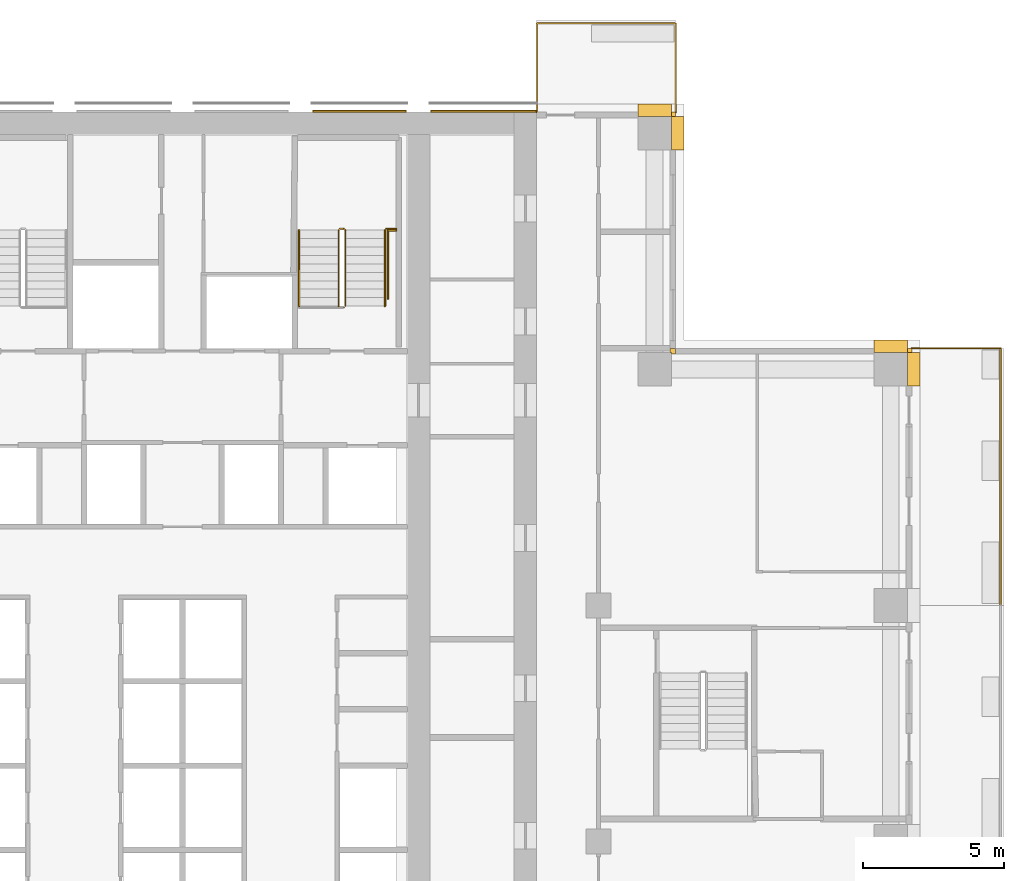
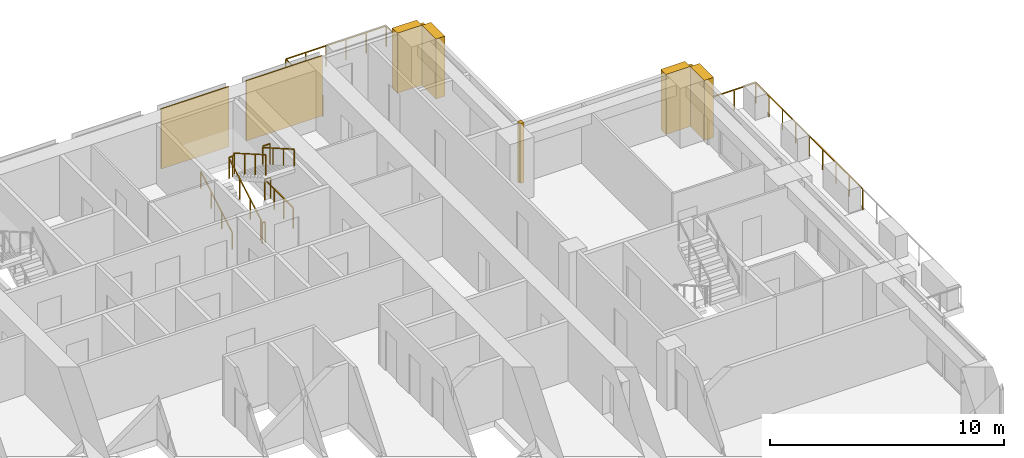
# One storey, part 16 of 16: 9 coverings, 7 railings.
"""IFC4 building model written with IfcOpenShell, lengths in metres."""

from ifc_helpers import new_model, si_unit, direction, frame, origin, origin_2d, place, context, subcontext, project, spatial, polyline, rectangle, outline, extrude, material, type_object, element, save


model = new_model("IFC4")

# Units and contexts
model_context = context("Model", 3, precision=1e-05, world=origin(), true_north=direction((0.0, 1.0)))
body_context = subcontext(model_context, "Body", "Model", "MODEL_VIEW")
ifc_project = project(units=[si_unit("LENGTHUNIT", "METRE"), si_unit("AREAUNIT", "SQUARE_METRE"), si_unit("VOLUMEUNIT", "CUBIC_METRE"), si_unit("PLANEANGLEUNIT", "RADIAN"), si_unit("MASSUNIT", "GRAM", prefix="KILO")], contexts=[model_context])

# Site, building, storey
site_placement = place(None, origin())
site = spatial("IfcSite", under=ifc_project, at=site_placement, CompositionType="ELEMENT")
building_placement = place(site_placement, origin())
building = spatial("IfcBuilding", under=site, at=building_placement, Name="Vermilion Ogive Tower", CompositionType="ELEMENT")
storey_placement = place(building_placement, frame((0.0, 0.0, 101.10009765625)))
storey = spatial("IfcBuildingStorey", under=building, at=storey_placement, Name="L25", CompositionType="ELEMENT", Elevation=101.10009765625)

# Railings
ifc_material_1 = material(Name="Stainless steel and glass", Category="steel")
railing_type_1 = type_object("IfcRailingType", Name="Balcony guard", PredefinedType="GUARDRAIL", material=ifc_material_1)
railing_1_placement = place(storey_placement, frame((29.110107421875, 4.199951171875, -0.0400390625)))
element("IfcRailing", 1, at=railing_1_placement, inside=storey, type_object=railing_type_1, Name="Guard E03", PredefinedType="GUARDRAIL", context=body_context, shape_type="SweptSolid", body=[
    extrude(rectangle(XDim=0.048095703125, YDim=0.048095703125, at=origin_2d()), frame((0.0, 0.0, 1.076171875), z_axis=(0.0, 1.0, 0.0), x_axis=(-1.0, 0.0, 0.0)), (0.0, 0.0, 1.0), 9.150146484375),
    extrude(rectangle(XDim=0.048095703125, YDim=0.048095703125, at=origin_2d()), frame((0.0, 9.150146484375, 1.076171875), z_axis=(-1.0, 0.0, 0.0), x_axis=(0.0, -1.0, 0.0)), (0.0, 0.0, 1.0), 3.16015625),
    extrude(rectangle(XDim=0.0419921875, YDim=0.0419921875, at=origin_2d()), origin(), (0.0, 0.0, 1.0), 1.052001953125),
    extrude(rectangle(XDim=0.0419921875, YDim=0.0419921875, at=origin_2d()), frame((0.0, 1.143798828125, 0.0)), (0.0, 0.0, 1.0), 1.052001953125),
    extrude(rectangle(XDim=0.0419921875, YDim=0.0419921875, at=origin_2d()), frame((0.0, 2.28759765625, 0.0)), (0.0, 0.0, 1.0), 1.052001953125),
    extrude(rectangle(XDim=0.0419921875, YDim=0.0419921875, at=origin_2d()), frame((0.0, 3.431396484375, 0.0)), (0.0, 0.0, 1.0), 1.052001953125),
    extrude(rectangle(XDim=0.0419921875, YDim=0.0419921875, at=origin_2d()), frame((0.0, 4.5751953125, 0.0)), (0.0, 0.0, 1.0), 1.052001953125),
    extrude(rectangle(XDim=0.0419921875, YDim=0.0419921875, at=origin_2d()), frame((0.0, 5.71875, 0.0)), (0.0, 0.0, 1.0), 1.052001953125),
    extrude(rectangle(XDim=0.0419921875, YDim=0.0419921875, at=origin_2d()), frame((0.0, 6.862548828125, 0.0)), (0.0, 0.0, 1.0), 1.052001953125),
    extrude(rectangle(XDim=0.0419921875, YDim=0.0419921875, at=origin_2d()), frame((0.0, 8.00634765625, 0.0)), (0.0, 0.0, 1.0), 1.052001953125),
    extrude(rectangle(XDim=0.0419921875, YDim=0.0419921875, at=origin_2d()), frame((0.0, 9.150146484375, 0.0)), (0.0, 0.0, 1.0), 1.052001953125),
    extrude(rectangle(XDim=0.0419921875, YDim=0.0419921875, at=origin_2d()), frame((-1.053466796875, 9.150146484375, 0.0)), (0.0, 0.0, 1.0), 1.052001953125),
    extrude(rectangle(XDim=0.0419921875, YDim=0.0419921875, at=origin_2d()), frame((-2.106689453125, 9.150146484375, 0.0)), (0.0, 0.0, 1.0), 1.052001953125),
    extrude(rectangle(XDim=0.0419921875, YDim=0.0419921875, at=origin_2d()), frame((-3.16015625, 9.150146484375, 0.0)), (0.0, 0.0, 1.0), 1.052001953125),
])
railing_2_placement = place(storey_placement, frame((17.550048828125, 21.75, -0.0400390625)))
element("IfcRailing", 2, at=railing_2_placement, inside=storey, type_object=railing_type_1, Name="Guard N101", PredefinedType="GUARDRAIL", context=body_context, shape_type="SweptSolid", body=[
    extrude(rectangle(XDim=0.048095703125, YDim=0.048095703125, at=origin_2d()), frame((0.0, 0.0, 1.076171875), z_axis=(0.0, 1.0, 0.0), x_axis=(-1.0, 0.0, 0.0)), (0.0, 0.0, 1.0), 3.159912109375),
    extrude(rectangle(XDim=0.048095703125, YDim=0.048095703125, at=origin_2d()), frame((0.0, 3.159912109375, 1.076171875), z_axis=(-1.0, 0.0, 0.0), x_axis=(0.0, -1.0, 0.0)), (0.0, 0.0, 1.0), 4.949951171875),
    extrude(rectangle(XDim=0.048095703125, YDim=0.048095703125, at=origin_2d()), frame((-4.949951171875, 3.159912109375, 1.076171875), z_axis=(0.0, -1.0, 0.0), x_axis=(1.0, 0.0, 0.0)), (0.0, 0.0, 1.0), 3.159912109375),
    extrude(rectangle(XDim=0.0419921875, YDim=0.0419921875, at=origin_2d()), origin(), (0.0, 0.0, 1.0), 1.052001953125),
    extrude(rectangle(XDim=0.0419921875, YDim=0.0419921875, at=origin_2d()), frame((0.0, 1.05322265625, 0.0)), (0.0, 0.0, 1.0), 1.052001953125),
    extrude(rectangle(XDim=0.0419921875, YDim=0.0419921875, at=origin_2d()), frame((0.0, 2.106689453125, 0.0)), (0.0, 0.0, 1.0), 1.052001953125),
    extrude(rectangle(XDim=0.0419921875, YDim=0.0419921875, at=origin_2d()), frame((0.0, 3.159912109375, 0.0)), (0.0, 0.0, 1.0), 1.052001953125),
    extrude(rectangle(XDim=0.0419921875, YDim=0.0419921875, at=origin_2d()), frame((-0.989990234375, 3.159912109375, 0.0)), (0.0, 0.0, 1.0), 1.052001953125),
    extrude(rectangle(XDim=0.0419921875, YDim=0.0419921875, at=origin_2d()), frame((-1.97998046875, 3.159912109375, 0.0)), (0.0, 0.0, 1.0), 1.052001953125),
    extrude(rectangle(XDim=0.0419921875, YDim=0.0419921875, at=origin_2d()), frame((-2.969970703125, 3.159912109375, 0.0)), (0.0, 0.0, 1.0), 1.052001953125),
    extrude(rectangle(XDim=0.0419921875, YDim=0.0419921875, at=origin_2d()), frame((-3.9599609375, 3.159912109375, 0.0)), (0.0, 0.0, 1.0), 1.052001953125),
    extrude(rectangle(XDim=0.0419921875, YDim=0.0419921875, at=origin_2d()), frame((-4.949951171875, 3.159912109375, 0.0)), (0.0, 0.0, 1.0), 1.052001953125),
    extrude(rectangle(XDim=0.0419921875, YDim=0.0419921875, at=origin_2d()), frame((-4.949951171875, 2.106689453125, 0.0)), (0.0, 0.0, 1.0), 1.052001953125),
    extrude(rectangle(XDim=0.0419921875, YDim=0.0419921875, at=origin_2d()), frame((-4.949951171875, 1.05322265625, 0.0)), (0.0, 0.0, 1.0), 1.052001953125),
    extrude(rectangle(XDim=0.0419921875, YDim=0.0419921875, at=origin_2d()), frame((-4.949951171875, 0.0, 0.0)), (0.0, 0.0, 1.0), 1.052001953125),
])
ifc_material_2 = material(Name="Steel S355 painted", Category="steel")
railing_type_2 = type_object("IfcRailingType", Name="Stair guard 1100", PredefinedType="GUARDRAIL", material=ifc_material_2)
railing_3_placement = place(storey_placement, frame((5.75, 14.800048828125, 0.0)))
element("IfcRailing", 3, at=railing_3_placement, inside=storey, type_object=railing_type_2, Name="L25 ST2 stair guard 4", PredefinedType="GUARDRAIL", context=body_context, shape_type="SweptSolid", body=[
    extrude(rectangle(XDim=0.048095703125, YDim=0.048095703125, at=origin_2d()), frame((0.0, 0.0, 1.076171875), z_axis=(-1.0, 0.0, 0.0), x_axis=(0.0, -1.0, 0.0)), (0.0, 0.0, 1.0), 0.14990234375),
    extrude(rectangle(XDim=0.048095703125, YDim=0.048095703125, at=origin_2d()), frame((-0.14990234375, 0.0, 1.076171875), z_axis=(-0.268603158521, 0.268603158521, 0.925043072762), x_axis=(-0.707106781187, -0.707106781187, 0.0)), (0.0, 0.0, 1.0), 0.186279296875),
    extrude(rectangle(XDim=0.048095703125, YDim=0.048095703125, at=origin_2d()), frame((-0.199951171875, 0.050048828125, 1.24853515625), z_axis=(0.0, 0.866903762492, 0.498475542607), x_axis=(-1.0, 0.0, 0.0)), (0.0, 0.0, 1.0), 3.114501953125),
    extrude(rectangle(XDim=0.048095703125, YDim=0.048095703125, at=origin_2d()), frame((-0.199951171875, 2.75, 2.80078125), z_axis=(0.707106781187, 0.707106781187, 0.0), x_axis=(-0.707106781187, 0.707106781187, 0.0)), (0.0, 0.0, 1.0), 0.07080078125),
    extrude(rectangle(XDim=0.048095703125, YDim=0.048095703125, at=origin_2d()), frame((-0.14990234375, 2.800048828125, 2.80078125), z_axis=(1.0, 0.0, 0.0), x_axis=(0.0, 1.0, 0.0)), (0.0, 0.0, 1.0), 0.14990234375),
    extrude(rectangle(XDim=0.048095703125, YDim=0.048095703125, at=origin_2d()), frame((0.0, 2.800048828125, 2.80078125), z_axis=(0.268277960024, -0.268277960024, 0.925231793839), x_axis=(0.707106781187, 0.707106781187, 0.0)), (0.0, 0.0, 1.0), 0.1865234375),
    extrude(rectangle(XDim=0.048095703125, YDim=0.048095703125, at=origin_2d()), frame((0.050048828125, 2.75, 2.9736328125), z_axis=(0.0, -0.866903762492, 0.498475542607), x_axis=(1.0, 0.0, 0.0)), (0.0, 0.0, 1.0), 3.114501953125),
    extrude(rectangle(XDim=0.0419921875, YDim=0.0419921875, at=origin_2d()), origin(), (0.0, 0.0, 1.0), 1.052001953125),
    extrude(rectangle(XDim=0.0419921875, YDim=0.0419921875, at=origin_2d()), frame((-0.14990234375, 0.0, 0.0)), (0.0, 0.0, 1.0), 1.052001953125),
    extrude(rectangle(XDim=0.0419921875, YDim=0.0419921875, at=origin_2d()), frame((-0.199951171875, 0.050048828125, 0.17236328125)), (0.0, 0.0, 1.0), 1.052001953125),
    extrude(rectangle(XDim=0.0419921875, YDim=0.0419921875, at=origin_2d()), frame((-0.199951171875, 0.949951171875, 0.68994140625)), (0.0, 0.0, 1.0), 1.052001953125),
    extrude(rectangle(XDim=0.0419921875, YDim=0.0419921875, at=origin_2d()), frame((-0.199951171875, 1.85009765625, 1.207275390625)), (0.0, 0.0, 1.0), 1.052001953125),
    extrude(rectangle(XDim=0.0419921875, YDim=0.0419921875, at=origin_2d()), frame((-0.199951171875, 2.75, 1.724853515625)), (0.0, 0.0, 1.0), 1.052001953125),
    extrude(rectangle(XDim=0.0419921875, YDim=0.0419921875, at=origin_2d()), frame((-0.14990234375, 2.800048828125, 1.724853515625)), (0.0, 0.0, 1.0), 1.052001953125),
    extrude(rectangle(XDim=0.0419921875, YDim=0.0419921875, at=origin_2d()), frame((0.0, 2.800048828125, 1.724853515625)), (0.0, 0.0, 1.0), 1.052001953125),
    extrude(rectangle(XDim=0.0419921875, YDim=0.0419921875, at=origin_2d()), frame((0.050048828125, 2.75, 1.8974609375)), (0.0, 0.0, 1.0), 1.052001953125),
    extrude(rectangle(XDim=0.0419921875, YDim=0.0419921875, at=origin_2d()), frame((0.050048828125, 1.85009765625, 2.4150390625)), (0.0, 0.0, 1.0), 1.052001953125),
    extrude(rectangle(XDim=0.0419921875, YDim=0.0419921875, at=origin_2d()), frame((0.050048828125, 0.949951171875, 2.932373046875)), (0.0, 0.0, 1.0), 1.052001953125),
    extrude(rectangle(XDim=0.0419921875, YDim=0.0419921875, at=origin_2d()), frame((0.050048828125, 0.050048828125, 3.449951171875)), (0.0, 0.0, 1.0), 1.052001953125),
])
railing_4_placement = place(storey_placement, frame((7.25, 17.60009765625, 1.724853515625)))
element("IfcRailing", 4, at=railing_4_placement, inside=storey, type_object=railing_type_2, Name="L25 landing guard", PredefinedType="GUARDRAIL", context=body_context, shape_type="SweptSolid", body=[
    extrude(rectangle(XDim=0.048095703125, YDim=0.048095703125, at=origin_2d()), frame((0.0, 0.0, 1.076171875), z_axis=(1.0, 0.0, 0.0), x_axis=(0.0, 1.0, 0.0)), (0.0, 0.0, 1.0), 0.35009765625),
    extrude(rectangle(XDim=0.0419921875, YDim=0.0419921875, at=origin_2d()), origin(), (0.0, 0.0, 1.0), 1.052001953125),
    extrude(rectangle(XDim=0.0419921875, YDim=0.0419921875, at=origin_2d()), frame((0.35009765625, 0.0, 0.0)), (0.0, 0.0, 1.0), 1.052001953125),
])
railing_5_placement = place(storey_placement, frame((7.599609375, 17.54296875, 0.0)))
element("IfcRailing", 5, at=railing_5_placement, inside=storey, type_object=railing_type_2, Name="L25 stair opening guard", PredefinedType="GUARDRAIL", context=body_context, shape_type="SweptSolid", body=[
    extrude(rectangle(XDim=0.048095703125, YDim=0.048095703125, at=origin_2d()), frame((0.0, 0.0, 1.076171875), z_axis=(-1.0, 0.0, 0.0), x_axis=(0.0, -1.0, 0.0)), (0.0, 0.0, 1.0), 0.2900390625),
    extrude(rectangle(XDim=0.048095703125, YDim=0.048095703125, at=origin_2d()), frame((-0.2900390625, 0.0, 1.076171875), z_axis=(0.0, -1.0, 0.0), x_axis=(1.0, 0.0, 0.0)), (0.0, 0.0, 1.0), 2.42431640625),
    extrude(rectangle(XDim=0.0419921875, YDim=0.0419921875, at=origin_2d()), origin(), (0.0, 0.0, 1.0), 1.052001953125),
    extrude(rectangle(XDim=0.0419921875, YDim=0.0419921875, at=origin_2d()), frame((-0.2900390625, 0.0, 0.0)), (0.0, 0.0, 1.0), 1.052001953125),
    extrude(rectangle(XDim=0.0419921875, YDim=0.0419921875, at=origin_2d()), frame((-0.2900390625, -0.80810546875, 0.0)), (0.0, 0.0, 1.0), 1.052001953125),
    extrude(rectangle(XDim=0.0419921875, YDim=0.0419921875, at=origin_2d()), frame((-0.2900390625, -1.6162109375, 0.0)), (0.0, 0.0, 1.0), 1.052001953125),
    extrude(rectangle(XDim=0.0419921875, YDim=0.0419921875, at=origin_2d()), frame((-0.2900390625, -2.42431640625, 0.0)), (0.0, 0.0, 1.0), 1.052001953125),
])
ifc_material_3 = material(Name="Stainless steel", Category="steel")
railing_type_3 = type_object("IfcRailingType", Name="Stair handrail 900", PredefinedType="HANDRAIL", material=ifc_material_3)
railing_6_placement = place(storey_placement, frame((4.14990234375, 14.85009765625, 0.17236328125)))
element("IfcRailing", 6, at=railing_6_placement, inside=storey, type_object=railing_type_3, Name="L25 ST2 stair handrail 1", PredefinedType="HANDRAIL", context=body_context, shape_type="SweptSolid", body=[
    extrude(rectangle(XDim=0.048095703125, YDim=0.048095703125, at=origin_2d()), frame((0.0, 0.0, 0.8759765625), z_axis=(0.0, 0.866903762492, 0.498475542607), x_axis=(-1.0, 0.0, 0.0)), (0.0, 0.0, 1.0), 3.114501953125),
    extrude(rectangle(XDim=0.0419921875, YDim=0.0419921875, at=origin_2d()), origin(), (0.0, 0.0, 1.0), 0.851806640625),
    extrude(rectangle(XDim=0.0419921875, YDim=0.0419921875, at=origin_2d()), frame((0.0, 0.89990234375, 0.517578125)), (0.0, 0.0, 1.0), 0.851806640625),
    extrude(rectangle(XDim=0.0419921875, YDim=0.0419921875, at=origin_2d()), frame((0.0, 1.800048828125, 1.034912109375)), (0.0, 0.0, 1.0), 0.851806640625),
    extrude(rectangle(XDim=0.0419921875, YDim=0.0419921875, at=origin_2d()), frame((0.0, 2.699951171875, 1.552490234375)), (0.0, 0.0, 1.0), 0.851806640625),
])
railing_7_placement = place(storey_placement, frame((7.199951171875, 17.550048828125, 1.8974609375)))
element("IfcRailing", 7, at=railing_7_placement, inside=storey, type_object=railing_type_3, Name="L25 ST2 stair handrail 2", PredefinedType="HANDRAIL", context=body_context, shape_type="SweptSolid", body=[
    extrude(rectangle(XDim=0.048095703125, YDim=0.048095703125, at=origin_2d()), frame((0.0, 0.0, 0.8759765625), z_axis=(0.0, -0.866903762492, 0.498475542607), x_axis=(1.0, 0.0, 0.0)), (0.0, 0.0, 1.0), 3.114501953125),
    extrude(rectangle(XDim=0.0419921875, YDim=0.0419921875, at=origin_2d()), origin(), (0.0, 0.0, 1.0), 0.851806640625),
    extrude(rectangle(XDim=0.0419921875, YDim=0.0419921875, at=origin_2d()), frame((0.0, -0.89990234375, 0.517578125)), (0.0, 0.0, 1.0), 0.851806640625),
    extrude(rectangle(XDim=0.0419921875, YDim=0.0419921875, at=origin_2d()), frame((0.0, -1.800048828125, 1.034912109375)), (0.0, 0.0, 1.0), 0.851806640625),
    extrude(rectangle(XDim=0.0419921875, YDim=0.0419921875, at=origin_2d()), frame((0.0, -2.699951171875, 1.552490234375)), (0.0, 0.0, 1.0), 0.851806640625),
])

# Coverings
ifc_material_4 = material(Name="Stone cladding", Category="masonry")
covering_type_1 = type_object("IfcCoveringType", Name="Stone cladding panel", PredefinedType="CLADDING", material=ifc_material_4)
covering_1_placement = place(storey_placement, origin())
element("IfcCovering", 8, at=covering_1_placement, inside=storey, type_object=covering_type_1, Name="Stone cladding panel N5", PredefinedType="CLADDING", context=body_context, shape_type="SweptSolid", body=[
    extrude(outline(polyline([(4.6298828125, 21.75), (7.969970703125, 21.75), (7.969970703125, 21.81005859375), (4.6298828125, 21.81005859375), (4.6298828125, 21.75)])), origin(), (0.0, 0.0, 1.0), 3.1298828125),
])
covering_2_placement = place(storey_placement, origin())
element("IfcCovering", 9, at=covering_2_placement, inside=storey, type_object=covering_type_1, Name="Stone cladding panel N6", PredefinedType="CLADDING", context=body_context, shape_type="SweptSolid", body=[
    extrude(outline(polyline([(8.830078125, 21.75), (12.590087890625, 21.75), (12.590087890625, 21.81005859375), (8.830078125, 21.81005859375), (8.830078125, 21.75)])), origin(), (0.0, 0.0, 1.0), 3.1298828125),
])
ifc_material_5 = material(Name="Stone cladding", Category="masonry")
covering_type_2 = type_object("IfcCoveringType", Name="Stone pier", PredefinedType="CLADDING", material=ifc_material_5)
covering_3_placement = place(storey_placement, origin())
element("IfcCovering", 10, at=covering_3_placement, inside=storey, type_object=covering_type_2, Name="Stone corner pier EE1", PredefinedType="CLADDING", context=body_context, shape_type="SweptSolid", body=[
    extrude(outline(polyline([(25.949951171875, 13.199951171875), (25.800048828125, 13.199951171875), (25.800048828125, 13.35009765625), (25.949951171875, 13.35009765625), (25.949951171875, 13.199951171875)])), origin(), (0.0, 0.0, 1.0), 3.1298828125),
])
covering_4_placement = place(storey_placement, origin())
element("IfcCovering", 11, at=covering_4_placement, inside=storey, type_object=covering_type_2, Name="Stone corner pier X3E1", PredefinedType="CLADDING", context=body_context, shape_type="SweptSolid", body=[
    extrude(outline(polyline([(17.39990234375, 13.14990234375), (17.39990234375, 13.199951171875), (17.35009765625, 13.199951171875), (17.35009765625, 13.35009765625), (17.550048828125, 13.35009765625), (17.550048828125, 13.14990234375), (17.39990234375, 13.14990234375)])), origin(), (0.0, 0.0, 1.0), 3.1298828125),
])
covering_5_placement = place(storey_placement, origin())
element("IfcCovering", 12, at=covering_5_placement, inside=storey, type_object=covering_type_2, Name="Stone corner pier X4E1", PredefinedType="CLADDING", context=body_context, shape_type="SweptSolid", body=[
    extrude(outline(polyline([(17.550048828125, 21.60009765625), (17.39990234375, 21.60009765625), (17.39990234375, 21.60009765625), (17.39990234375, 21.75), (17.550048828125, 21.75), (17.550048828125, 21.60009765625)])), origin(), (0.0, 0.0, 1.0), 3.1298828125),
])
covering_6_placement = place(storey_placement, origin())
element("IfcCovering", 13, at=covering_6_placement, inside=storey, type_object=covering_type_2, Name="Stone pier P+0168+210X4", PredefinedType="CLADDING", context=body_context, shape_type="SweptSolid", body=[
    extrude(outline(polyline([(17.85009765625, 21.60009765625), (17.85009765625, 20.39990234375), (17.39990234375, 20.39990234375), (17.39990234375, 21.60009765625), (17.85009765625, 21.60009765625)])), origin(), (0.0, 0.0, 1.0), 3.1298828125),
])
covering_7_placement = place(storey_placement, origin())
element("IfcCovering", 14, at=covering_7_placement, inside=storey, type_object=covering_type_2, Name="Stone pier P+0168+210N1", PredefinedType="CLADDING", context=body_context, shape_type="SweptSolid", body=[
    extrude(outline(polyline([(17.39990234375, 22.050048828125), (17.39990234375, 21.60009765625), (16.199951171875, 21.60009765625), (16.199951171875, 22.050048828125), (17.39990234375, 22.050048828125)])), origin(), (0.0, 0.0, 1.0), 3.1298828125),
])
covering_8_placement = place(storey_placement, origin())
element("IfcCovering", 15, at=covering_8_placement, inside=storey, type_object=covering_type_2, Name="Stone pier P+0252+126E", PredefinedType="CLADDING", context=body_context, shape_type="SweptSolid", body=[
    extrude(outline(polyline([(25.800048828125, 13.199951171875), (25.800048828125, 13.199951171875), (26.25, 13.199951171875), (26.25, 12.0), (25.800048828125, 12.0), (25.800048828125, 12.0), (25.800048828125, 13.199951171875)])), origin(), (0.0, 0.0, 1.0), 3.1298828125),
])
covering_9_placement = place(storey_placement, origin())
element("IfcCovering", 16, at=covering_9_placement, inside=storey, type_object=covering_type_2, Name="Stone pier P+0252+126X3", PredefinedType="CLADDING", context=body_context, shape_type="SweptSolid", body=[
    extrude(outline(polyline([(25.800048828125, 13.64990234375), (25.800048828125, 13.199951171875), (25.800048828125, 13.199951171875), (24.60009765625, 13.199951171875), (24.60009765625, 13.64990234375), (25.800048828125, 13.64990234375)])), origin(), (0.0, 0.0, 1.0), 3.1298828125),
])

save(model, "model.ifc")
